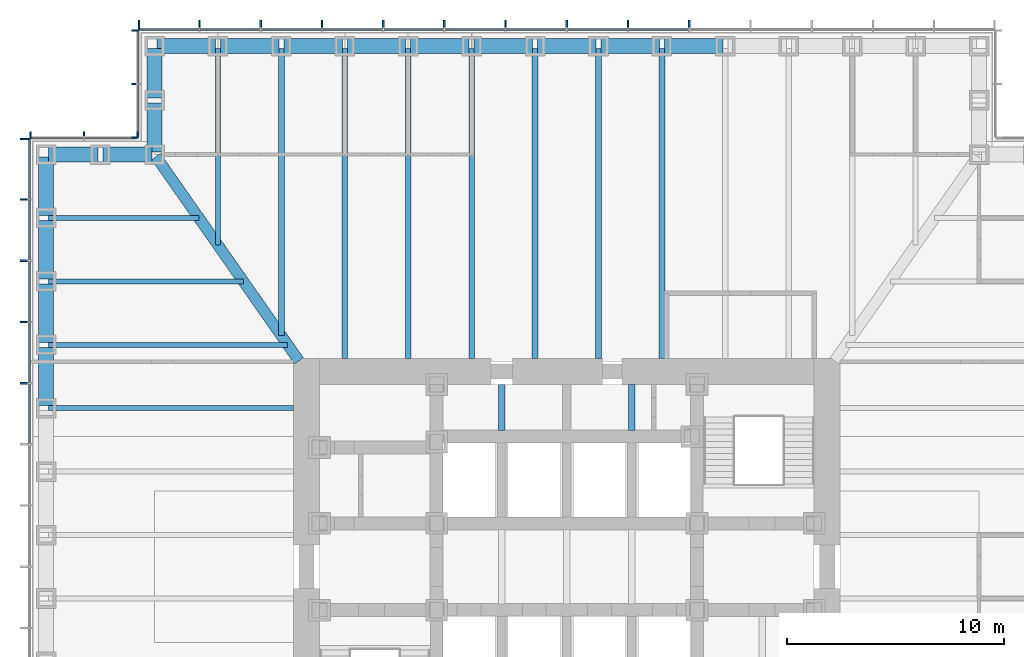
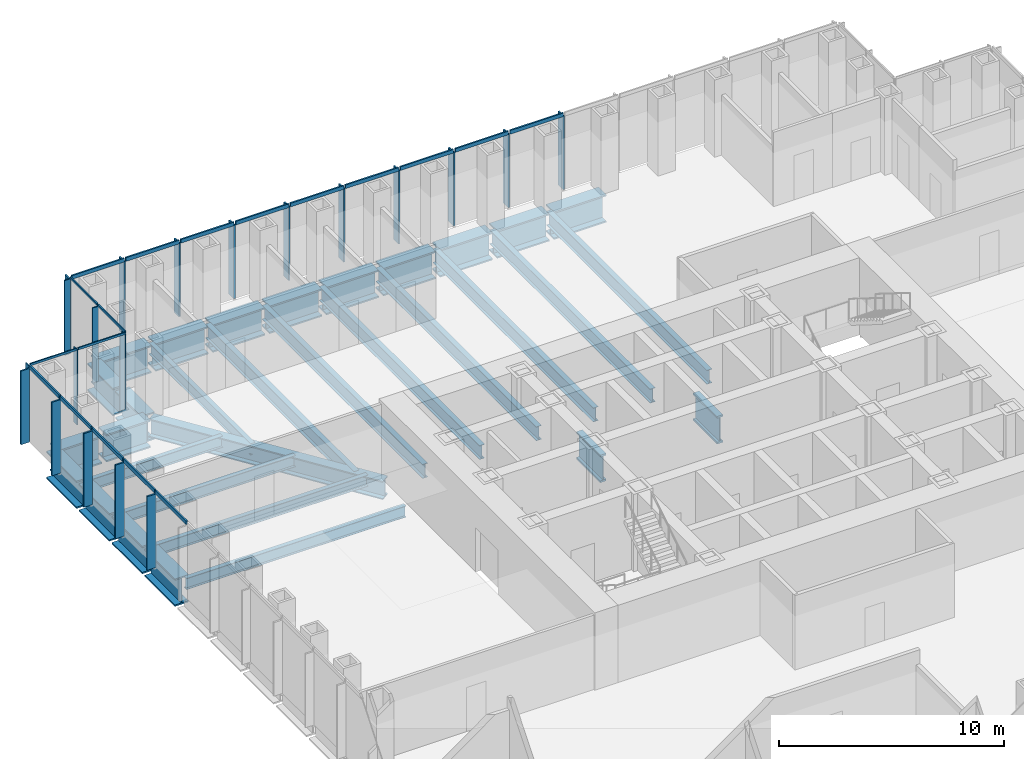
# One storey, part 5 of 17: 39 members, 32 beams, 4 elements without a shape of their own.
"""IFC4 building model written with IfcOpenShell, lengths in metres."""

from ifc_helpers import new_model, si_unit, direction, frame, origin, origin_2d, place, context, subcontext, project, spatial, rectangle, i_section, extrude, material, material_profile, profile_set, type_object, element, aggregate, save


model = new_model("IFC4")

# Units and contexts
model_context = context("Model", 3, precision=1e-05, world=origin(), true_north=direction((0.0, 1.0)))
body_context = subcontext(model_context, "Body", "Model", "MODEL_VIEW")
ifc_project = project(units=[si_unit("LENGTHUNIT", "METRE"), si_unit("AREAUNIT", "SQUARE_METRE"), si_unit("VOLUMEUNIT", "CUBIC_METRE"), si_unit("PLANEANGLEUNIT", "RADIAN"), si_unit("MASSUNIT", "GRAM", prefix="KILO")], contexts=[model_context])

# Site, building, storey
site_placement = place(None, origin())
site = spatial("IfcSite", under=ifc_project, at=site_placement, CompositionType="ELEMENT")
building_placement = place(site_placement, origin())
building = spatial("IfcBuilding", under=site, at=building_placement, Name="Daluyong Arena Tower", CompositionType="ELEMENT")
storey_placement = place(building_placement, frame((0.0, 0.0, 60.10009765625)))
storey = spatial("IfcBuildingStorey", under=building, at=storey_placement, Name="L12", CompositionType="ELEMENT", Elevation=60.10009765625)

# Curtain wall, members
ifc_material_1 = material(Name="Bronze anodised aluminium and glass", Category="aluminium")
curtain_wall_type_1 = type_object("IfcCurtainWallType", Name="Curtain wall CW1", PredefinedType="USERDEFINED", material=ifc_material_1)
curtain_wall_1_placement = place(storey_placement, origin())
curtain_wall_1 = element("IfcCurtainWall", 1, at=curtain_wall_1_placement, inside=storey, type_object=curtain_wall_type_1, Name="curtain wall L12 N", ObjectType="UNITISED CURTAIN WALL", PredefinedType="USERDEFINED")
ifc_material_2 = material(Name="Bronze anodised aluminium fin", Category="aluminium")
ifc_material_profile_1 = material_profile(ifc_material_2, rectangle(XDim=0.449951171875, YDim=0.080078125, at=origin_2d()))
ifc_profile_set_1 = profile_set([ifc_material_profile_1], Name="Bronze anodised aluminium fin")
member_type_1 = type_object("IfcMemberType", Name="CW1 bronze fin 450x80", PredefinedType="MULLION", material=ifc_profile_set_1)
member_1_placement = place(storey_placement, frame((61.642822265625, 104.97509765625, 0.0), z_axis=(0.0, 0.0, 1.0), x_axis=(0.0, -1.0, 0.0)))
member_1 = element("IfcMember", 2, at=member_1_placement, type_object=member_type_1, Name="curtain wall L12 N fin 6", PredefinedType="MULLION", context=body_context, shape_type="SweptSolid", body=[
    extrude(rectangle(XDim=0.449951171875, YDim=0.080078125, at=origin_2d()), origin(), (0.0, 0.0, 1.0), 4.0),
])
member_2_placement = place(storey_placement, frame((58.821533203125, 104.97509765625, 0.0), z_axis=(0.0, 0.0, 1.0), x_axis=(0.0, -1.0, 0.0)))
member_2 = element("IfcMember", 3, at=member_2_placement, type_object=member_type_1, Name="curtain wall L12 N fin 7", PredefinedType="MULLION", context=body_context, shape_type="SweptSolid", body=[
    extrude(rectangle(XDim=0.449951171875, YDim=0.080078125, at=origin_2d()), origin(), (0.0, 0.0, 1.0), 4.0),
])
member_3_placement = place(storey_placement, frame((56.0, 104.97509765625, 0.0), z_axis=(0.0, 0.0, 1.0), x_axis=(0.0, -1.0, 0.0)))
member_3 = element("IfcMember", 4, at=member_3_placement, type_object=member_type_1, Name="curtain wall L12 N fin 8", PredefinedType="MULLION", context=body_context, shape_type="SweptSolid", body=[
    extrude(rectangle(XDim=0.449951171875, YDim=0.080078125, at=origin_2d()), origin(), (0.0, 0.0, 1.0), 4.0),
])
member_4_placement = place(storey_placement, frame((53.178466796875, 104.97509765625, 0.0), z_axis=(0.0, 0.0, 1.0), x_axis=(0.0, -1.0, 0.0)))
member_4 = element("IfcMember", 5, at=member_4_placement, type_object=member_type_1, Name="curtain wall L12 N fin 9", PredefinedType="MULLION", context=body_context, shape_type="SweptSolid", body=[
    extrude(rectangle(XDim=0.449951171875, YDim=0.080078125, at=origin_2d()), origin(), (0.0, 0.0, 1.0), 4.0),
])
member_5_placement = place(storey_placement, frame((50.357177734375, 104.97509765625, 0.0), z_axis=(0.0, 0.0, 1.0), x_axis=(0.0, -1.0, 0.0)))
member_5 = element("IfcMember", 6, at=member_5_placement, type_object=member_type_1, Name="curtain wall L12 N fin 10", PredefinedType="MULLION", context=body_context, shape_type="SweptSolid", body=[
    extrude(rectangle(XDim=0.449951171875, YDim=0.080078125, at=origin_2d()), origin(), (0.0, 0.0, 1.0), 4.0),
])
member_6_placement = place(storey_placement, frame((47.53564453125, 104.97509765625, 0.0), z_axis=(0.0, 0.0, 1.0), x_axis=(0.0, -1.0, 0.0)))
member_6 = element("IfcMember", 7, at=member_6_placement, type_object=member_type_1, Name="curtain wall L12 N fin 11", PredefinedType="MULLION", context=body_context, shape_type="SweptSolid", body=[
    extrude(rectangle(XDim=0.449951171875, YDim=0.080078125, at=origin_2d()), origin(), (0.0, 0.0, 1.0), 4.0),
])
member_7_placement = place(storey_placement, frame((44.71435546875, 104.97509765625, 0.0), z_axis=(0.0, 0.0, 1.0), x_axis=(0.0, -1.0, 0.0)))
member_7 = element("IfcMember", 8, at=member_7_placement, type_object=member_type_1, Name="curtain wall L12 N fin 12", PredefinedType="MULLION", context=body_context, shape_type="SweptSolid", body=[
    extrude(rectangle(XDim=0.449951171875, YDim=0.080078125, at=origin_2d()), origin(), (0.0, 0.0, 1.0), 4.0),
])
member_8_placement = place(storey_placement, frame((41.892822265625, 104.97509765625, 0.0), z_axis=(0.0, 0.0, 1.0), x_axis=(0.0, -1.0, 0.0)))
member_8 = element("IfcMember", 9, at=member_8_placement, type_object=member_type_1, Name="curtain wall L12 N fin 13", PredefinedType="MULLION", context=body_context, shape_type="SweptSolid", body=[
    extrude(rectangle(XDim=0.449951171875, YDim=0.080078125, at=origin_2d()), origin(), (0.0, 0.0, 1.0), 4.0),
])
member_9_placement = place(storey_placement, frame((39.071533203125, 104.97509765625, 0.0), z_axis=(0.0, 0.0, 1.0), x_axis=(0.0, -1.0, 0.0)))
member_9 = element("IfcMember", 10, at=member_9_placement, type_object=member_type_1, Name="curtain wall L12 N fin 14", PredefinedType="MULLION", context=body_context, shape_type="SweptSolid", body=[
    extrude(rectangle(XDim=0.449951171875, YDim=0.080078125, at=origin_2d()), origin(), (0.0, 0.0, 1.0), 4.0),
])
member_10_placement = place(storey_placement, frame((36.2900390625, 104.97509765625, 0.0), z_axis=(0.0, 0.0, 1.0), x_axis=(0.0, -1.0, 0.0)))
member_10 = element("IfcMember", 11, at=member_10_placement, type_object=member_type_1, Name="curtain wall L12 N fin 15", PredefinedType="MULLION", context=body_context, shape_type="SweptSolid", body=[
    extrude(rectangle(XDim=0.449951171875, YDim=0.080078125, at=origin_2d()), origin(), (0.0, 0.0, 1.0), 4.0),
])

curtain_wall_2_placement = place(storey_placement, origin())
curtain_wall_2 = element("IfcCurtainWall", 12, at=curtain_wall_2_placement, inside=storey, type_object=curtain_wall_type_1, Name="curtain wall L12 W", ObjectType="UNITISED CURTAIN WALL", PredefinedType="USERDEFINED")
member_11_placement = place(storey_placement, frame((31.02490234375, 99.7099609375, 0.0), z_axis=(0.0, 0.0, 1.0), x_axis=(1.0, 0.0, 0.0)))
member_11 = element("IfcMember", 13, at=member_11_placement, type_object=member_type_1, Name="curtain wall L12 W fin 1", PredefinedType="MULLION", context=body_context, shape_type="SweptSolid", body=[
    extrude(rectangle(XDim=0.449951171875, YDim=0.080078125, at=origin_2d()), origin(), (0.0, 0.0, 1.0), 4.0),
])
member_12_placement = place(storey_placement, frame((31.02490234375, 96.928466796875, 0.0), z_axis=(0.0, 0.0, 1.0), x_axis=(1.0, 0.0, 0.0)))
member_12 = element("IfcMember", 14, at=member_12_placement, type_object=member_type_1, Name="curtain wall L12 W fin 2", PredefinedType="MULLION", context=body_context, shape_type="SweptSolid", body=[
    extrude(rectangle(XDim=0.449951171875, YDim=0.080078125, at=origin_2d()), origin(), (0.0, 0.0, 1.0), 4.0),
])
member_13_placement = place(storey_placement, frame((31.02490234375, 94.107177734375, 0.0), z_axis=(0.0, 0.0, 1.0), x_axis=(1.0, 0.0, 0.0)))
member_13 = element("IfcMember", 15, at=member_13_placement, type_object=member_type_1, Name="curtain wall L12 W fin 3", PredefinedType="MULLION", context=body_context, shape_type="SweptSolid", body=[
    extrude(rectangle(XDim=0.449951171875, YDim=0.080078125, at=origin_2d()), origin(), (0.0, 0.0, 1.0), 4.0),
])
member_14_placement = place(storey_placement, frame((31.02490234375, 91.28564453125, 0.0), z_axis=(0.0, 0.0, 1.0), x_axis=(1.0, 0.0, 0.0)))
member_14 = element("IfcMember", 16, at=member_14_placement, type_object=member_type_1, Name="curtain wall L12 W fin 4", PredefinedType="MULLION", context=body_context, shape_type="SweptSolid", body=[
    extrude(rectangle(XDim=0.449951171875, YDim=0.080078125, at=origin_2d()), origin(), (0.0, 0.0, 1.0), 4.0),
])
member_15_placement = place(storey_placement, frame((31.02490234375, 88.46435546875, 0.0), z_axis=(0.0, 0.0, 1.0), x_axis=(1.0, 0.0, 0.0)))
member_15 = element("IfcMember", 17, at=member_15_placement, type_object=member_type_1, Name="curtain wall L12 W fin 5", PredefinedType="MULLION", context=body_context, shape_type="SweptSolid", body=[
    extrude(rectangle(XDim=0.449951171875, YDim=0.080078125, at=origin_2d()), origin(), (0.0, 0.0, 1.0), 4.0),
])

# Member
ifc_material_3 = material(Name="Bronze anodised aluminium", Category="aluminium")
ifc_material_profile_2 = material_profile(ifc_material_3, rectangle(XDim=0.080078125, YDim=0.199951171875, at=origin_2d()))
ifc_profile_set_2 = profile_set([ifc_material_profile_2], Name="Bronze anodised aluminium")
member_type_2 = type_object("IfcMemberType", Name="CW1 stack transom 200x80", PredefinedType="USERDEFINED", material=ifc_profile_set_2)
member_16_placement = place(storey_placement, frame((61.602783203125, 104.75, 4.099853515625), z_axis=(-1.0, 0.0, 0.0), x_axis=(0.0, -1.0, 0.0)))
member_16 = element("IfcMember", 18, at=member_16_placement, type_object=member_type_2, Name="curtain wall L12 N transom 6", ObjectType="TRANSOM", PredefinedType="USERDEFINED", context=body_context, shape_type="SweptSolid", body=[
    extrude(rectangle(XDim=0.080078125, YDim=0.199951171875, at=origin_2d()), origin(), (0.0, 0.0, 1.0), 2.741455078125),
])

member_17_placement = place(storey_placement, frame((58.781494140625, 104.75, 4.099853515625), z_axis=(-1.0, 0.0, 0.0), x_axis=(0.0, -1.0, 0.0)))
member_17 = element("IfcMember", 19, at=member_17_placement, type_object=member_type_2, Name="curtain wall L12 N transom 7", ObjectType="TRANSOM", PredefinedType="USERDEFINED", context=body_context, shape_type="SweptSolid", body=[
    extrude(rectangle(XDim=0.080078125, YDim=0.199951171875, at=origin_2d()), origin(), (0.0, 0.0, 1.0), 2.741455078125),
])

member_18_placement = place(storey_placement, frame((55.9599609375, 104.75, 4.099853515625), z_axis=(-1.0, 0.0, 0.0), x_axis=(0.0, -1.0, 0.0)))
member_18 = element("IfcMember", 20, at=member_18_placement, type_object=member_type_2, Name="curtain wall L12 N transom 8", ObjectType="TRANSOM", PredefinedType="USERDEFINED", context=body_context, shape_type="SweptSolid", body=[
    extrude(rectangle(XDim=0.080078125, YDim=0.199951171875, at=origin_2d()), origin(), (0.0, 0.0, 1.0), 2.741455078125),
])

member_19_placement = place(storey_placement, frame((53.138671875, 104.75, 4.099853515625), z_axis=(-1.0, 0.0, 0.0), x_axis=(0.0, -1.0, 0.0)))
member_19 = element("IfcMember", 21, at=member_19_placement, type_object=member_type_2, Name="curtain wall L12 N transom 9", ObjectType="TRANSOM", PredefinedType="USERDEFINED", context=body_context, shape_type="SweptSolid", body=[
    extrude(rectangle(XDim=0.080078125, YDim=0.199951171875, at=origin_2d()), origin(), (0.0, 0.0, 1.0), 2.741455078125),
])

member_20_placement = place(storey_placement, frame((50.317138671875, 104.75, 4.099853515625), z_axis=(-1.0, 0.0, 0.0), x_axis=(0.0, -1.0, 0.0)))
member_20 = element("IfcMember", 22, at=member_20_placement, type_object=member_type_2, Name="curtain wall L12 N transom 10", ObjectType="TRANSOM", PredefinedType="USERDEFINED", context=body_context, shape_type="SweptSolid", body=[
    extrude(rectangle(XDim=0.080078125, YDim=0.199951171875, at=origin_2d()), origin(), (0.0, 0.0, 1.0), 2.741455078125),
])

member_21_placement = place(storey_placement, frame((47.49560546875, 104.75, 4.099853515625), z_axis=(-1.0, 0.0, 0.0), x_axis=(0.0, -1.0, 0.0)))
member_21 = element("IfcMember", 23, at=member_21_placement, type_object=member_type_2, Name="curtain wall L12 N transom 11", ObjectType="TRANSOM", PredefinedType="USERDEFINED", context=body_context, shape_type="SweptSolid", body=[
    extrude(rectangle(XDim=0.080078125, YDim=0.199951171875, at=origin_2d()), origin(), (0.0, 0.0, 1.0), 2.7412109375),
])

member_22_placement = place(storey_placement, frame((44.67431640625, 104.75, 4.099853515625), z_axis=(-1.0, 0.0, 0.0), x_axis=(0.0, -1.0, 0.0)))
member_22 = element("IfcMember", 24, at=member_22_placement, type_object=member_type_2, Name="curtain wall L12 N transom 12", ObjectType="TRANSOM", PredefinedType="USERDEFINED", context=body_context, shape_type="SweptSolid", body=[
    extrude(rectangle(XDim=0.080078125, YDim=0.199951171875, at=origin_2d()), origin(), (0.0, 0.0, 1.0), 2.741455078125),
])

member_23_placement = place(storey_placement, frame((41.852783203125, 104.75, 4.099853515625), z_axis=(-1.0, 0.0, 0.0), x_axis=(0.0, -1.0, 0.0)))
member_23 = element("IfcMember", 25, at=member_23_placement, type_object=member_type_2, Name="curtain wall L12 N transom 13", ObjectType="TRANSOM", PredefinedType="USERDEFINED", context=body_context, shape_type="SweptSolid", body=[
    extrude(rectangle(XDim=0.080078125, YDim=0.199951171875, at=origin_2d()), origin(), (0.0, 0.0, 1.0), 2.741455078125),
])

member_24_placement = place(storey_placement, frame((39.031494140625, 104.75, 4.099853515625), z_axis=(-1.0, 0.0, 0.0), x_axis=(0.0, -1.0, 0.0)))
member_24 = element("IfcMember", 26, at=member_24_placement, type_object=member_type_2, Name="curtain wall L12 N transom 14", ObjectType="TRANSOM", PredefinedType="USERDEFINED", context=body_context, shape_type="SweptSolid", body=[
    extrude(rectangle(XDim=0.080078125, YDim=0.199951171875, at=origin_2d()), origin(), (0.0, 0.0, 1.0), 2.701416015625),
])

aggregate(curtain_wall_1, [member_1, member_2, member_3, member_4, member_5, member_6, member_7, member_8, member_9, member_10, member_16, member_17, member_18, member_19, member_20, member_21, member_22, member_23, member_24])

member_25_placement = place(storey_placement, frame((31.25, 99.669921875, 4.099853515625), z_axis=(0.0, -1.0, 0.0), x_axis=(1.0, 0.0, 0.0)))
member_25 = element("IfcMember", 27, at=member_25_placement, type_object=member_type_2, Name="curtain wall L12 W transom 1", ObjectType="TRANSOM", PredefinedType="USERDEFINED", context=body_context, shape_type="SweptSolid", body=[
    extrude(rectangle(XDim=0.080078125, YDim=0.199951171875, at=origin_2d()), origin(), (0.0, 0.0, 1.0), 2.701416015625),
])

member_26_placement = place(storey_placement, frame((31.25, 96.888671875, 4.099853515625), z_axis=(0.0, -1.0, 0.0), x_axis=(1.0, 0.0, 0.0)))
member_26 = element("IfcMember", 28, at=member_26_placement, type_object=member_type_2, Name="curtain wall L12 W transom 2", ObjectType="TRANSOM", PredefinedType="USERDEFINED", context=body_context, shape_type="SweptSolid", body=[
    extrude(rectangle(XDim=0.080078125, YDim=0.199951171875, at=origin_2d()), origin(), (0.0, 0.0, 1.0), 2.741455078125),
])

member_27_placement = place(storey_placement, frame((31.25, 94.067138671875, 4.099853515625), z_axis=(0.0, -1.0, 0.0), x_axis=(1.0, 0.0, 0.0)))
member_27 = element("IfcMember", 29, at=member_27_placement, type_object=member_type_2, Name="curtain wall L12 W transom 3", ObjectType="TRANSOM", PredefinedType="USERDEFINED", context=body_context, shape_type="SweptSolid", body=[
    extrude(rectangle(XDim=0.080078125, YDim=0.199951171875, at=origin_2d()), origin(), (0.0, 0.0, 1.0), 2.741455078125),
])

member_28_placement = place(storey_placement, frame((31.25, 91.24560546875, 4.099853515625), z_axis=(0.0, -1.0, 0.0), x_axis=(1.0, 0.0, 0.0)))
member_28 = element("IfcMember", 30, at=member_28_placement, type_object=member_type_2, Name="curtain wall L12 W transom 4", ObjectType="TRANSOM", PredefinedType="USERDEFINED", context=body_context, shape_type="SweptSolid", body=[
    extrude(rectangle(XDim=0.080078125, YDim=0.199951171875, at=origin_2d()), origin(), (0.0, 0.0, 1.0), 2.7412109375),
])

member_29_placement = place(storey_placement, frame((31.25, 88.42431640625, 4.099853515625), z_axis=(0.0, -1.0, 0.0), x_axis=(1.0, 0.0, 0.0)))
member_29 = element("IfcMember", 31, at=member_29_placement, type_object=member_type_2, Name="curtain wall L12 W transom 5", ObjectType="TRANSOM", PredefinedType="USERDEFINED", context=body_context, shape_type="SweptSolid", body=[
    extrude(rectangle(XDim=0.080078125, YDim=0.199951171875, at=origin_2d()), origin(), (0.0, 0.0, 1.0), 2.741455078125),
])

aggregate(curtain_wall_2, [member_11, member_12, member_13, member_14, member_15, member_25, member_26, member_27, member_28, member_29])

# Curtain wall, members
ifc_material_4 = material(Name="Bronze anodised aluminium and glass", Category="aluminium")
curtain_wall_type_2 = type_object("IfcCurtainWallType", Name="Curtain wall CW7", PredefinedType="USERDEFINED", material=ifc_material_4)
curtain_wall_3_placement = place(storey_placement, origin())
curtain_wall_3 = element("IfcCurtainWall", 32, at=curtain_wall_3_placement, inside=storey, type_object=curtain_wall_type_2, Name="curtain wall L12 NW-W", ObjectType="UNITISED CURTAIN WALL", PredefinedType="USERDEFINED")
ifc_material_5 = material(Name="Bronze anodised aluminium fin", Category="aluminium")
ifc_material_profile_3 = material_profile(ifc_material_5, rectangle(XDim=0.300048828125, YDim=0.06005859375, at=origin_2d()))
ifc_profile_set_3 = profile_set([ifc_material_profile_3], Name="Bronze anodised aluminium fin")
member_type_3 = type_object("IfcMemberType", Name="CW7 bronze fin 300x60", PredefinedType="MULLION", material=ifc_profile_set_3)
member_30_placement = place(storey_placement, frame((36.10009765625, 104.719970703125, 0.0), z_axis=(0.0, 0.0, 1.0), x_axis=(1.0, 0.0, 0.0)))
member_30 = element("IfcMember", 33, at=member_30_placement, type_object=member_type_3, Name="curtain wall L12 NW-W fin 1", PredefinedType="MULLION", context=body_context, shape_type="SweptSolid", body=[
    extrude(rectangle(XDim=0.300048828125, YDim=0.06005859375, at=origin_2d()), origin(), (0.0, 0.0, 1.0), 4.079833984375),
])
member_31_placement = place(storey_placement, frame((36.10009765625, 102.25, 0.0), z_axis=(0.0, 0.0, 1.0), x_axis=(1.0, 0.0, 0.0)))
member_31 = element("IfcMember", 34, at=member_31_placement, type_object=member_type_3, Name="curtain wall L12 NW-W fin 2", PredefinedType="MULLION", context=body_context, shape_type="SweptSolid", body=[
    extrude(rectangle(XDim=0.300048828125, YDim=0.06005859375, at=origin_2d()), origin(), (0.0, 0.0, 1.0), 4.079833984375),
])
member_32_placement = place(storey_placement, frame((36.10009765625, 99.780029296875, 0.0), z_axis=(0.0, 0.0, 1.0), x_axis=(1.0, 0.0, 0.0)))
member_32 = element("IfcMember", 35, at=member_32_placement, type_object=member_type_3, Name="curtain wall L12 NW-W fin 3", PredefinedType="MULLION", context=body_context, shape_type="SweptSolid", body=[
    extrude(rectangle(XDim=0.300048828125, YDim=0.06005859375, at=origin_2d()), origin(), (0.0, 0.0, 1.0), 4.079833984375),
])

curtain_wall_4_placement = place(storey_placement, origin())
curtain_wall_4 = element("IfcCurtainWall", 36, at=curtain_wall_4_placement, inside=storey, type_object=curtain_wall_type_2, Name="curtain wall L12 NW-N", ObjectType="UNITISED CURTAIN WALL", PredefinedType="USERDEFINED")
member_33_placement = place(storey_placement, frame((36.219970703125, 99.89990234375, 0.0), z_axis=(0.0, 0.0, 1.0), x_axis=(0.0, -1.0, 0.0)))
member_33 = element("IfcMember", 37, at=member_33_placement, type_object=member_type_3, Name="curtain wall L12 NW-N fin 1", PredefinedType="MULLION", context=body_context, shape_type="SweptSolid", body=[
    extrude(rectangle(XDim=0.300048828125, YDim=0.06005859375, at=origin_2d()), origin(), (0.0, 0.0, 1.0), 4.079833984375),
])
member_34_placement = place(storey_placement, frame((33.75, 99.89990234375, 0.0), z_axis=(0.0, 0.0, 1.0), x_axis=(0.0, -1.0, 0.0)))
member_34 = element("IfcMember", 38, at=member_34_placement, type_object=member_type_3, Name="curtain wall L12 NW-N fin 2", PredefinedType="MULLION", context=body_context, shape_type="SweptSolid", body=[
    extrude(rectangle(XDim=0.300048828125, YDim=0.06005859375, at=origin_2d()), origin(), (0.0, 0.0, 1.0), 4.079833984375),
])
member_35_placement = place(storey_placement, frame((31.280029296875, 99.89990234375, 0.0), z_axis=(0.0, 0.0, 1.0), x_axis=(0.0, -1.0, 0.0)))
member_35 = element("IfcMember", 39, at=member_35_placement, type_object=member_type_3, Name="curtain wall L12 NW-N fin 3", PredefinedType="MULLION", context=body_context, shape_type="SweptSolid", body=[
    extrude(rectangle(XDim=0.300048828125, YDim=0.06005859375, at=origin_2d()), origin(), (0.0, 0.0, 1.0), 4.079833984375),
])

# Member
ifc_material_6 = material(Name="Bronze anodised aluminium", Category="aluminium")
ifc_material_profile_4 = material_profile(ifc_material_6, rectangle(XDim=0.06005859375, YDim=0.1201171875, at=origin_2d()))
ifc_profile_set_4 = profile_set([ifc_material_profile_4], Name="Bronze anodised aluminium")
member_type_4 = type_object("IfcMemberType", Name="CW7 stack transom 120x60", PredefinedType="USERDEFINED", material=ifc_profile_set_4)
member_36_placement = place(storey_placement, frame((36.25, 104.68994140625, 4.139892578125), z_axis=(0.0, -1.0, 0.0), x_axis=(1.0, 0.0, 0.0)))
member_36 = element("IfcMember", 40, at=member_36_placement, type_object=member_type_4, Name="curtain wall L12 NW-W transom 1", ObjectType="TRANSOM", PredefinedType="USERDEFINED", context=body_context, shape_type="SweptSolid", body=[
    extrude(rectangle(XDim=0.06005859375, YDim=0.1201171875, at=origin_2d()), origin(), (0.0, 0.0, 1.0), 2.409912109375),
])

member_37_placement = place(storey_placement, frame((36.25, 102.219970703125, 4.139892578125), z_axis=(0.0, -1.0, 0.0), x_axis=(1.0, 0.0, 0.0)))
member_37 = element("IfcMember", 41, at=member_37_placement, type_object=member_type_4, Name="curtain wall L12 NW-W transom 2", ObjectType="TRANSOM", PredefinedType="USERDEFINED", context=body_context, shape_type="SweptSolid", body=[
    extrude(rectangle(XDim=0.06005859375, YDim=0.1201171875, at=origin_2d()), origin(), (0.0, 0.0, 1.0), 2.409912109375),
])

aggregate(curtain_wall_3, [member_30, member_31, member_32, member_36, member_37])

member_38_placement = place(storey_placement, frame((36.18994140625, 99.75, 4.139892578125), z_axis=(-1.0, 0.0, 0.0), x_axis=(0.0, -1.0, 0.0)))
member_38 = element("IfcMember", 42, at=member_38_placement, type_object=member_type_4, Name="curtain wall L12 NW-N transom 1", ObjectType="TRANSOM", PredefinedType="USERDEFINED", context=body_context, shape_type="SweptSolid", body=[
    extrude(rectangle(XDim=0.06005859375, YDim=0.1201171875, at=origin_2d()), origin(), (0.0, 0.0, 1.0), 2.409912109375),
])

member_39_placement = place(storey_placement, frame((33.719970703125, 99.75, 4.139892578125), z_axis=(-1.0, 0.0, 0.0), x_axis=(0.0, -1.0, 0.0)))
member_39 = element("IfcMember", 43, at=member_39_placement, type_object=member_type_4, Name="curtain wall L12 NW-N transom 2", ObjectType="TRANSOM", PredefinedType="USERDEFINED", context=body_context, shape_type="SweptSolid", body=[
    extrude(rectangle(XDim=0.06005859375, YDim=0.1201171875, at=origin_2d()), origin(), (0.0, 0.0, 1.0), 2.409912109375),
])

aggregate(curtain_wall_4, [member_33, member_34, member_35, member_38, member_39])

# Beams
ifc_material_7 = material(Name="Steel ASTM A572 Grade 50", Category="steel")
ifc_material_profile_5 = material_profile(ifc_material_7, i_section(OverallWidth=0.5, OverallDepth=1.0, WebThickness=0.03, FlangeThickness=0.06, at=origin_2d()))
ifc_profile_set_5 = profile_set([ifc_material_profile_5], Name="Steel ASTM A572 Grade 50")
beam_type_1 = type_object("IfcBeamType", Name="Corner girder TB1000X500", PredefinedType="BEAM", material=ifc_profile_set_5)
beam_1_placement = place(storey_placement, frame((37.06591796875, 98.90576171875, -0.66015625), z_axis=(0.573466621875, -0.819228926244, 0.0), x_axis=(0.819228926244, 0.573466621875, 0.0)))
element("IfcBeam", 44, at=beam_1_placement, inside=storey, type_object=beam_type_1, Name="corner girder DG2", PredefinedType="BEAM", context=body_context, shape_type="SweptSolid", body=[
    extrude(i_section(OverallWidth=0.5, OverallDepth=1.0, WebThickness=0.03, FlangeThickness=0.06, at=origin_2d()), origin(), (0.0, 0.0, 1.0), 11.49169921875),
])
ifc_material_8 = material(Name="Steel ASTM A992 Grade 50", Category="steel")
ifc_material_profile_6 = material_profile(ifc_material_8, i_section(OverallWidth=0.22900390625, OverallDepth=0.612060546875, WebThickness=0.011962890625, FlangeThickness=0.01953125, at=origin_2d()))
ifc_profile_set_6 = profile_set([ifc_material_profile_6], Name="Steel ASTM A992 Grade 50")
beam_type_2 = type_object("IfcBeamType", Name="Floor beam W24X84", PredefinedType="BEAM", material=ifc_profile_set_6)
beam_2_placement = place(storey_placement, frame((39.923095703125, 103.885009765625, -0.466064453125), z_axis=(0.0, -1.0, 0.0), x_axis=(1.0, 0.0, 0.0)))
element("IfcBeam", 45, at=beam_2_placement, inside=storey, type_object=beam_type_2, Name="floor beam FB3", PredefinedType="BEAM", context=body_context, shape_type="SweptSolid", body=[
    extrude(i_section(OverallWidth=0.22900390625, OverallDepth=0.612060546875, WebThickness=0.011962890625, FlangeThickness=0.01953125, at=origin_2d()), origin(), (0.0, 0.0, 1.0), 9.060791015625),
])
beam_3_placement = place(storey_placement, frame((32.114990234375, 96.076904296875, -0.466064453125), z_axis=(1.0, 0.0, 0.0), x_axis=(0.0, 1.0, 0.0)))
element("IfcBeam", 46, at=beam_3_placement, inside=storey, type_object=beam_type_2, Name="floor beam FB3", PredefinedType="BEAM", context=body_context, shape_type="SweptSolid", body=[
    extrude(i_section(OverallWidth=0.22900390625, OverallDepth=0.612060546875, WebThickness=0.011962890625, FlangeThickness=0.01953125, at=origin_2d()), origin(), (0.0, 0.0, 1.0), 6.93115234375),
])
beam_4_placement = place(storey_placement, frame((32.114990234375, 93.15380859375, -0.466064453125), z_axis=(1.0, 0.0, 0.0), x_axis=(0.0, 1.0, 0.0)))
element("IfcBeam", 47, at=beam_4_placement, inside=storey, type_object=beam_type_2, Name="floor beam FB3", PredefinedType="BEAM", context=body_context, shape_type="SweptSolid", body=[
    extrude(i_section(OverallWidth=0.22900390625, OverallDepth=0.612060546875, WebThickness=0.011962890625, FlangeThickness=0.01953125, at=origin_2d()), origin(), (0.0, 0.0, 1.0), 8.977294921875),
])
beam_5_placement = place(storey_placement, frame((32.114990234375, 90.230712890625, -0.466064453125), z_axis=(1.0, 0.0, 0.0), x_axis=(0.0, 1.0, 0.0)))
element("IfcBeam", 48, at=beam_5_placement, inside=storey, type_object=beam_type_2, Name="floor beam FB3", PredefinedType="BEAM", context=body_context, shape_type="SweptSolid", body=[
    extrude(i_section(OverallWidth=0.22900390625, OverallDepth=0.612060546875, WebThickness=0.011962890625, FlangeThickness=0.01953125, at=origin_2d()), origin(), (0.0, 0.0, 1.0), 11.0234375),
])
beam_6_placement = place(storey_placement, frame((32.114990234375, 87.3076171875, -0.466064453125), z_axis=(1.0, 0.0, 0.0), x_axis=(0.0, 1.0, 0.0)))
element("IfcBeam", 49, at=beam_6_placement, inside=storey, type_object=beam_type_2, Name="floor beam FB3", PredefinedType="BEAM", context=body_context, shape_type="SweptSolid", body=[
    extrude(i_section(OverallWidth=0.22900390625, OverallDepth=0.612060546875, WebThickness=0.011962890625, FlangeThickness=0.01953125, at=origin_2d()), origin(), (0.0, 0.0, 1.0), 11.284912109375),
])
ifc_material_9 = material(Name="Steel ASTM A992 Grade 50", Category="steel")
ifc_material_profile_7 = material_profile(ifc_material_9, i_section(OverallWidth=0.2666015625, OverallDepth=0.761962890625, WebThickness=0.014404296875, FlangeThickness=0.021484375, at=origin_2d()))
ifc_profile_set_7 = profile_set([ifc_material_profile_7], Name="Steel ASTM A992 Grade 50")
beam_type_3 = type_object("IfcBeamType", Name="Floor beam W30X116", PredefinedType="BEAM", material=ifc_profile_set_7)
for number, where, z_axis, x_axis, name in (
    (50, (60.384521484375, 103.885009765625, -0.541015625), (0.0, -1.0, 0.0), (1.0, 0.0, 0.0), "floor beam FB4"),
    (51, (57.46142578125, 103.885009765625, -0.541015625), (0.0, -1.0, 0.0), (1.0, 0.0, 0.0), "floor beam FB4"),
    (52, (54.53857421875, 103.885009765625, -0.541015625), (0.0, -1.0, 0.0), (1.0, 0.0, 0.0), "floor beam FB4"),
    (53, (51.615478515625, 103.885009765625, -0.541015625), (0.0, -1.0, 0.0), (1.0, 0.0, 0.0), "floor beam FB4"),
    (54, (48.6923828125, 103.885009765625, -0.541015625), (0.0, -1.0, 0.0), (1.0, 0.0, 0.0), "floor beam FB4"),
    (55, (45.769287109375, 103.885009765625, -0.541015625), (0.0, -1.0, 0.0), (1.0, 0.0, 0.0), "floor beam FB4"),
):
    element("IfcBeam", number, at=place(storey_placement, frame(where, z_axis=z_axis, x_axis=x_axis)), inside=storey, type_object=beam_type_3, Name=name, PredefinedType="BEAM", context=body_context, shape_type="SweptSolid", body=[
        extrude(i_section(OverallWidth=0.2666015625, OverallDepth=0.761962890625, WebThickness=0.014404296875, FlangeThickness=0.021484375, at=origin_2d()), origin(), (0.0, 0.0, 1.0), 14.284912109375),
    ])
beam_7_placement = place(storey_placement, frame((42.84619140625, 103.885009765625, -0.541015625), z_axis=(0.0, -1.0, 0.0), x_axis=(1.0, 0.0, 0.0)))
element("IfcBeam", 56, at=beam_7_placement, inside=storey, type_object=beam_type_3, Name="floor beam FB4", PredefinedType="BEAM", context=body_context, shape_type="SweptSolid", body=[
    extrude(i_section(OverallWidth=0.2666015625, OverallDepth=0.761962890625, WebThickness=0.014404296875, FlangeThickness=0.021484375, at=origin_2d()), origin(), (0.0, 0.0, 1.0), 13.236572265625),
])
ifc_material_10 = material(Name="Steel ASTM A572 Grade 50", Category="steel")
ifc_material_profile_8 = material_profile(ifc_material_10, i_section(OverallWidth=0.300048828125, OverallDepth=1.5, WebThickness=0.04, FlangeThickness=0.1, at=origin_2d()))
ifc_profile_set_8 = profile_set([ifc_material_profile_8], Name="Steel ASTM A572 Grade 50")
beam_type_4 = type_object("IfcBeamType", Name="Lift divider beam PG1500X300", PredefinedType="BEAM", material=ifc_profile_set_8)
for number, where, z_axis, x_axis, name in (
    (57, (53.0, 86.27490234375, -0.91015625), (0.0, 1.0, 0.0), (-1.0, 0.0, 0.0), "lift divider beam DB2"),
    (58, (59.0, 86.27490234375, -0.91015625), (0.0, 1.0, 0.0), (-1.0, 0.0, 0.0), "lift divider beam DB2"),
):
    element("IfcBeam", number, at=place(storey_placement, frame(where, z_axis=z_axis, x_axis=x_axis)), inside=storey, type_object=beam_type_4, Name=name, PredefinedType="BEAM", context=body_context, shape_type="SweptSolid", body=[
        extrude(i_section(OverallWidth=0.300048828125, OverallDepth=1.5, WebThickness=0.04, FlangeThickness=0.1, at=origin_2d()), origin(), (0.0, 0.0, 1.0), 2.125),
    ])
ifc_material_11 = material(Name="Steel ASTM A572 Grade 50", Category="steel")
ifc_material_profile_9 = material_profile(ifc_material_11, i_section(OverallWidth=0.699951171875, OverallDepth=1.5, WebThickness=0.04, FlangeThickness=0.08, at=origin_2d()))
ifc_profile_set_9 = profile_set([ifc_material_profile_9], Name="Steel ASTM A572 Grade 50")
beam_type_5 = type_object("IfcBeamType", Name="Spandrel Z1 PG1500X700", PredefinedType="SPANDREL", material=ifc_profile_set_9)
for number, where, z_axis, x_axis, name in (
    (59, (63.192626953125, 104.0, -0.91015625), (-1.0, 0.0, 0.0), (0.0, -1.0, 0.0), "spandrel z1 SB4"),
    (60, (60.26953125, 104.0, -0.91015625), (-1.0, 0.0, 0.0), (0.0, -1.0, 0.0), "spandrel z1 SB4"),
):
    element("IfcBeam", number, at=place(storey_placement, frame(where, z_axis=z_axis, x_axis=x_axis)), inside=storey, type_object=beam_type_5, Name=name, PredefinedType="SPANDREL", context=body_context, shape_type="SweptSolid", body=[
        extrude(i_section(OverallWidth=0.699951171875, OverallDepth=1.5, WebThickness=0.04, FlangeThickness=0.08, at=origin_2d()), origin(), (0.0, 0.0, 1.0), 2.693115234375),
    ])
beam_8_placement = place(storey_placement, frame((57.346435546875, 104.0, -0.91015625), z_axis=(-1.0, 0.0, 0.0), x_axis=(0.0, -1.0, 0.0)))
element("IfcBeam", 61, at=beam_8_placement, inside=storey, type_object=beam_type_5, Name="spandrel z1 SB4", PredefinedType="SPANDREL", context=body_context, shape_type="SweptSolid", body=[
    extrude(i_section(OverallWidth=0.699951171875, OverallDepth=1.5, WebThickness=0.04, FlangeThickness=0.08, at=origin_2d()), origin(), (0.0, 0.0, 1.0), 2.69287109375),
])
for number, where, z_axis, x_axis, name in (
    (62, (54.423583984375, 104.0, -0.91015625), (-1.0, 0.0, 0.0), (0.0, -1.0, 0.0), "spandrel z1 SB4"),
    (63, (51.50048828125, 104.0, -0.91015625), (-1.0, 0.0, 0.0), (0.0, -1.0, 0.0), "spandrel z1 SB4"),
    (64, (48.577392578125, 104.0, -0.91015625), (-1.0, 0.0, 0.0), (0.0, -1.0, 0.0), "spandrel z1 SB4"),
    (65, (45.654296875, 104.0, -0.91015625), (-1.0, 0.0, 0.0), (0.0, -1.0, 0.0), "spandrel z1 SB4"),
    (66, (42.731201171875, 104.0, -0.91015625), (-1.0, 0.0, 0.0), (0.0, -1.0, 0.0), "spandrel z1 SB4"),
    (67, (39.80810546875, 104.0, -0.91015625), (-1.0, 0.0, 0.0), (0.0, -1.0, 0.0), "spandrel z1 SB4"),
):
    element("IfcBeam", number, at=place(storey_placement, frame(where, z_axis=z_axis, x_axis=x_axis)), inside=storey, type_object=beam_type_5, Name=name, PredefinedType="SPANDREL", context=body_context, shape_type="SweptSolid", body=[
        extrude(i_section(OverallWidth=0.699951171875, OverallDepth=1.5, WebThickness=0.04, FlangeThickness=0.08, at=origin_2d()), origin(), (0.0, 0.0, 1.0), 2.693115234375),
    ])
for number, where, z_axis, x_axis, name in (
    (68, (37.0, 103.885009765625, -0.91015625), (0.0, -1.0, 0.0), (1.0, 0.0, 0.0), "spandrel z1 SB4"),
    (69, (37.0, 101.385009765625, -0.91015625), (0.0, -1.0, 0.0), (1.0, 0.0, 0.0), "spandrel z1 SB4"),
    (70, (36.885009765625, 99.0, -0.91015625), (-1.0, 0.0, 0.0), (0.0, -1.0, 0.0), "spandrel z1 SB4"),
    (71, (34.385009765625, 99.0, -0.91015625), (-1.0, 0.0, 0.0), (0.0, -1.0, 0.0), "spandrel z1 SB4"),
):
    element("IfcBeam", number, at=place(storey_placement, frame(where, z_axis=z_axis, x_axis=x_axis)), inside=storey, type_object=beam_type_5, Name=name, PredefinedType="SPANDREL", context=body_context, shape_type="SweptSolid", body=[
        extrude(i_section(OverallWidth=0.699951171875, OverallDepth=1.5, WebThickness=0.04, FlangeThickness=0.08, at=origin_2d()), origin(), (0.0, 0.0, 1.0), 2.27001953125),
    ])
for number, where, z_axis, x_axis, name in (
    (72, (32.0, 98.885009765625, -0.91015625), (0.0, -1.0, 0.0), (1.0, 0.0, 0.0), "spandrel z1 SB4"),
    (73, (32.0, 95.9619140625, -0.91015625), (0.0, -1.0, 0.0), (1.0, 0.0, 0.0), "spandrel z1 SB4"),
    (74, (32.0, 93.038818359375, -0.91015625), (0.0, -1.0, 0.0), (1.0, 0.0, 0.0), "spandrel z1 SB4"),
    (75, (32.0, 90.11572265625, -0.91015625), (0.0, -1.0, 0.0), (1.0, 0.0, 0.0), "spandrel z1 SB4"),
):
    element("IfcBeam", number, at=place(storey_placement, frame(where, z_axis=z_axis, x_axis=x_axis)), inside=storey, type_object=beam_type_5, Name=name, PredefinedType="SPANDREL", context=body_context, shape_type="SweptSolid", body=[
        extrude(i_section(OverallWidth=0.699951171875, OverallDepth=1.5, WebThickness=0.04, FlangeThickness=0.08, at=origin_2d()), origin(), (0.0, 0.0, 1.0), 2.693115234375),
    ])

save(model, "model.ifc")
